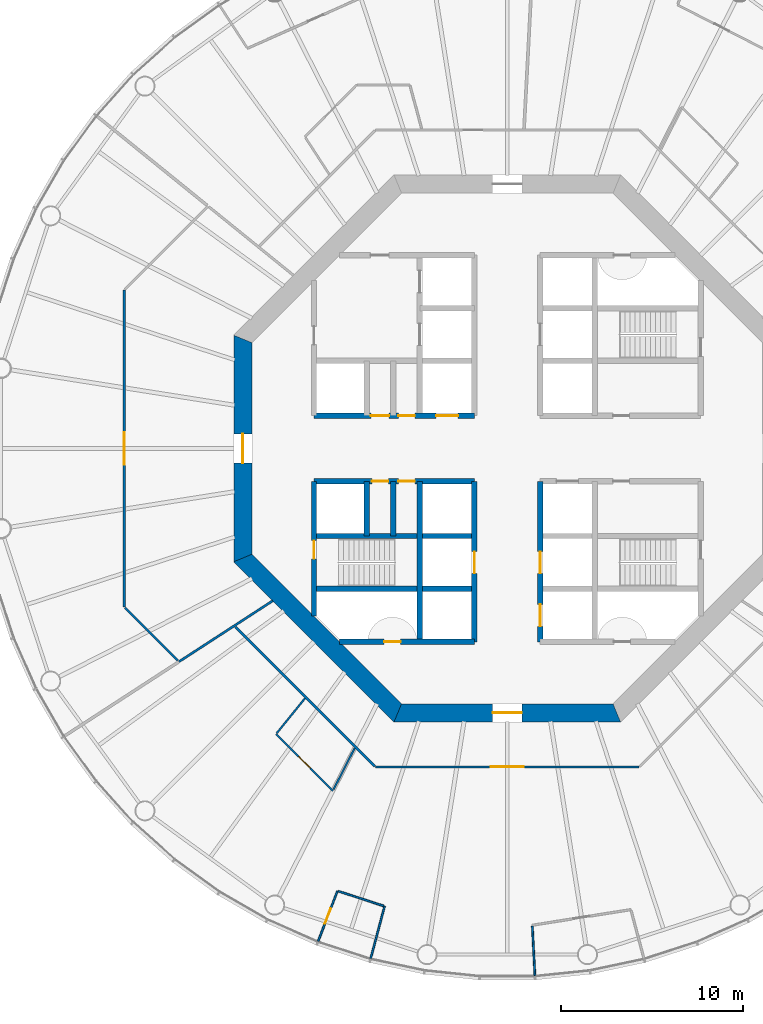
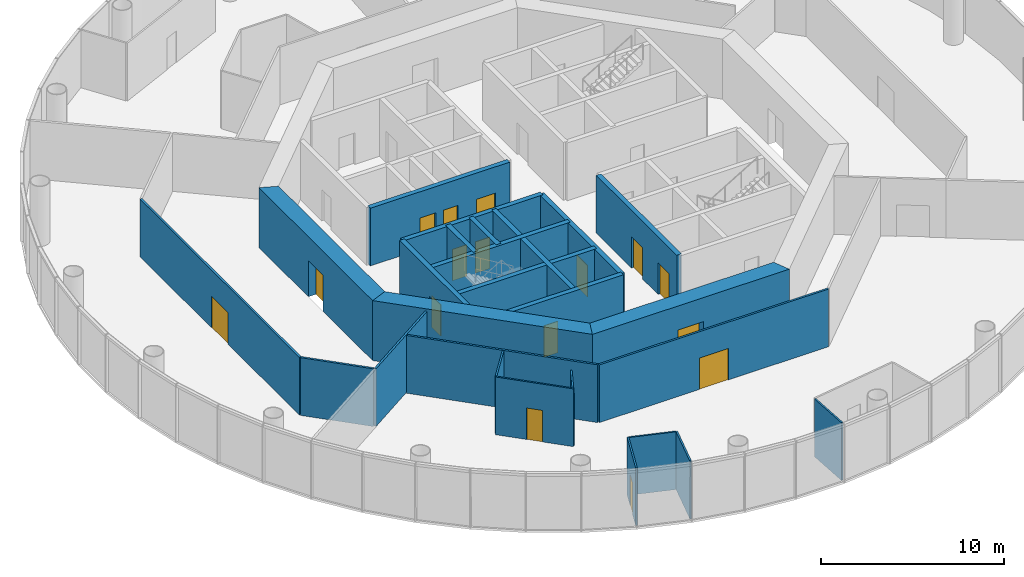
# One storey, part 3 of 13: 26 walls, 16 doors, 16 openings.
"""IFC4 building model written with IfcOpenShell, lengths in metres."""

from ifc_helpers import new_model, si_unit, direction, frame, frame_2d, origin, place, context, subcontext, project, spatial, polyline, rectangle, outline, extrude, material, layer, layer_set, type_object, element, fill, save


model = new_model("IFC4")

# Units and contexts
model_context = context("Model", 3, precision=1e-05, world=origin(), true_north=direction((0.0, 1.0)))
body_context = subcontext(model_context, "Body", "Model", "MODEL_VIEW")
ifc_project = project(units=[si_unit("LENGTHUNIT", "METRE"), si_unit("AREAUNIT", "SQUARE_METRE"), si_unit("VOLUMEUNIT", "CUBIC_METRE"), si_unit("PLANEANGLEUNIT", "RADIAN"), si_unit("MASSUNIT", "GRAM", prefix="KILO")], contexts=[model_context])

# Site, building, storey
site_placement = place(None, origin())
site = spatial("IfcSite", under=ifc_project, at=site_placement, CompositionType="ELEMENT")
building_placement = place(site_placement, origin())
building = spatial("IfcBuilding", under=site, at=building_placement, Name="Entoto Ring Tower", CompositionType="ELEMENT")
storey_placement = place(building_placement, frame((0.0, 0.0, 156.0)))
storey = spatial("IfcBuildingStorey", under=building, at=storey_placement, Name="L35", CompositionType="ELEMENT", Elevation=156.0)

# Wall, openings, doors
ifc_material_1 = material(Name="Concrete C40/50", Category="concrete")
ifc_layer_1 = layer(ifc_material_1, 0.300048828125)
ifc_layer_set_1 = layer_set([ifc_layer_1], Name="Concrete C40/50")
wall_type_1 = type_object("IfcWallType", Name="Core enclosure wall 300 mm reinforced concrete", PredefinedType="SOLIDWALL", material=ifc_layer_set_1)
wall_1_placement = place(storey_placement, frame((91.800048828125, 69.39990234375, 0.0), z_axis=(0.0, 0.0, 1.0), x_axis=(0.0, 1.0, 0.0)))
wall_1 = element("IfcWall", 1, at=wall_1_placement, inside=storey, type_object=wall_type_1, Name="wall-L35-005", PredefinedType="SOLIDWALL", context=body_context, shape_type="SweptSolid", body=[
    extrude(rectangle(XDim=8.800048828125, YDim=0.300048828125, at=frame_2d((4.39990234375, 0.0))), origin(), (0.0, 0.0, 1.0), 3.85009765625),
])
opening_1_placement = place(wall_1_placement, frame((3.75, 0.0, 0.0)))
opening_1 = element("IfcOpeningElement", 2, at=opening_1_placement, cuts=wall_1, Name="Opening LD", PredefinedType="OPENING", context=body_context, shape_type="SweptSolid", body=[
    extrude(rectangle(XDim=1.199951171875, YDim=2.10009765625, at=frame_2d((0.60009765625, 1.050048828125))), frame((0.0, 0.16015625, 0.0), z_axis=(0.0, -1.0, 0.0), x_axis=(1.0, 0.0, 0.0)), (0.0, 0.0, 1.0), 0.320068359375),
])
opening_2_placement = place(wall_1_placement, frame((0.85009765625, 0.0, 0.0)))
opening_2 = element("IfcOpeningElement", 3, at=opening_2_placement, cuts=wall_1, Name="Opening LD", PredefinedType="OPENING", context=body_context, shape_type="SweptSolid", body=[
    extrude(rectangle(XDim=1.199951171875, YDim=2.10009765625, at=frame_2d((0.60009765625, 1.050048828125))), frame((0.0, 0.16015625, 0.0), z_axis=(0.0, -1.0, 0.0), x_axis=(1.0, 0.0, 0.0)), (0.0, 0.0, 1.0), 0.320068359375),
])
ifc_material_2 = material(Name="Steel and glass door leaf", Category="steel")
ifc_layer_2 = layer(ifc_material_2, 0.050048828125)
ifc_layer_set_2 = layer_set([ifc_layer_2], Name="Steel and glass door leaf")
door_type_1 = type_object("IfcDoorType", Name="Landing door 1200 x 2100 sliding", OperationType="DOUBLE_DOOR_SLIDING", PredefinedType="DOOR", material=ifc_layer_set_2)
door_1_placement = place(opening_1_placement, origin())
door_1 = element("IfcDoor", 4, at=door_1_placement, inside=storey, type_object=door_type_1, Name="Landing door LB2-MR", OperationType="SLIDING_TO_RIGHT", OverallHeight=2.10009765625, OverallWidth=1.199951171875, PredefinedType="DOOR", context=body_context, shape_type="SweptSolid", body=[
    extrude(rectangle(XDim=1.199951171875, YDim=2.10009765625, at=frame_2d((0.60009765625, 1.050048828125))), frame((0.0, 0.02490234375, 0.0), z_axis=(0.0, -1.0, 0.0), x_axis=(1.0, 0.0, 0.0)), (0.0, 0.0, 1.0), 0.050048828125),
])
fill(opening_1, door_1)
door_2_placement = place(opening_2_placement, origin())
door_2 = element("IfcDoor", 5, at=door_2_placement, inside=storey, type_object=door_type_1, Name="Landing door LB3-MR", OperationType="SLIDING_TO_RIGHT", OverallHeight=2.10009765625, OverallWidth=1.199951171875, PredefinedType="DOOR", context=body_context, shape_type="SweptSolid", body=[
    extrude(rectangle(XDim=1.199951171875, YDim=2.10009765625, at=frame_2d((0.60009765625, 1.050048828125))), frame((0.0, 0.02490234375, 0.0), z_axis=(0.0, -1.0, 0.0), x_axis=(1.0, 0.0, 0.0)), (0.0, 0.0, 1.0), 0.050048828125),
])
fill(opening_2, door_2)

# Wall, opening, door
wall_2_placement = place(storey_placement, frame((88.199951171875, 69.39990234375, 0.0), z_axis=(0.0, 0.0, 1.0), x_axis=(0.0, 1.0, 0.0)))
wall_2 = element("IfcWall", 6, at=wall_2_placement, inside=storey, type_object=wall_type_1, Name="wall-L35-007", PredefinedType="SOLIDWALL", context=body_context, shape_type="SweptSolid", body=[
    extrude(rectangle(XDim=8.800048828125, YDim=0.300048828125, at=frame_2d((4.39990234375, 0.0))), origin(), (0.0, 0.0, 1.0), 3.85009765625),
])
opening_3_placement = place(wall_2_placement, frame((3.75, 0.0, 0.0)))
opening_3 = element("IfcOpeningElement", 7, at=opening_3_placement, cuts=wall_2, Name="Opening LD", PredefinedType="OPENING", context=body_context, shape_type="SweptSolid", body=[
    extrude(rectangle(XDim=1.199951171875, YDim=2.10009765625, at=frame_2d((0.60009765625, 1.050048828125))), frame((0.0, 0.16015625, 0.0), z_axis=(0.0, -1.0, 0.0), x_axis=(1.0, 0.0, 0.0)), (0.0, 0.0, 1.0), 0.320068359375),
])
door_3_placement = place(opening_3_placement, origin())
door_3 = element("IfcDoor", 8, at=door_3_placement, inside=storey, type_object=door_type_1, Name="Landing door LB4-MR", OperationType="SLIDING_TO_RIGHT", OverallHeight=2.10009765625, OverallWidth=1.199951171875, PredefinedType="DOOR", context=body_context, shape_type="SweptSolid", body=[
    extrude(rectangle(XDim=1.199951171875, YDim=2.10009765625, at=frame_2d((0.60009765625, 1.050048828125))), frame((0.0, 0.02490234375, 0.0), z_axis=(0.0, -1.0, 0.0), x_axis=(1.0, 0.0, 0.0)), (0.0, 0.0, 1.0), 0.050048828125),
])
fill(opening_3, door_3)

# Walls
wall_3_placement = place(storey_placement, frame((85.199951171875, 69.39990234375, 0.0), z_axis=(0.0, 0.0, 1.0), x_axis=(0.0, 1.0, 0.0)))
element("IfcWall", 9, at=wall_3_placement, inside=storey, type_object=wall_type_1, Name="wall-L35-009", PredefinedType="SOLIDWALL", context=body_context, shape_type="SweptSolid", body=[
    extrude(rectangle(XDim=8.800048828125, YDim=0.300048828125, at=frame_2d((4.39990234375, 0.0))), origin(), (0.0, 0.0, 1.0), 3.85009765625),
])
for number, where, z_axis, x_axis, name in (
    (10, (83.75, 75.199951171875, 0.0), (0.0, 0.0, 1.0), (0.0, 1.0, 0.0), "wall-L35-011"),
    (11, (82.300048828125, 75.199951171875, 0.0), (0.0, 0.0, 1.0), (0.0, 1.0, 0.0), "wall-L35-013"),
):
    element("IfcWall", number, at=place(storey_placement, frame(where, z_axis=z_axis, x_axis=x_axis)), inside=storey, type_object=wall_type_1, Name=name, PredefinedType="SOLIDWALL", context=body_context, shape_type="SweptSolid", body=[
        extrude(rectangle(XDim=3.0, YDim=0.300048828125, at=frame_2d((1.5, 0.0))), origin(), (0.0, 0.0, 1.0), 3.85009765625),
    ])

# Wall, opening, door
wall_4_placement = place(storey_placement, frame((79.39990234375, 70.801025390625, 0.0), z_axis=(0.0, 0.0, 1.0), x_axis=(0.0, 1.0, 0.0)))
wall_4 = element("IfcWall", 12, at=wall_4_placement, inside=storey, type_object=wall_type_1, Name="wall-L35-015", PredefinedType="SOLIDWALL", context=body_context, shape_type="SweptSolid", body=[
    extrude(rectangle(XDim=7.39892578125, YDim=0.300048828125, at=frame_2d((3.699462890625, 0.0))), origin(), (0.0, 0.0, 1.0), 3.85009765625),
])
opening_4_placement = place(wall_4_placement, frame((3.14892578125, 0.0, 0.0)))
opening_4 = element("IfcOpeningElement", 13, at=opening_4_placement, cuts=wall_4, Name="Opening K-59", PredefinedType="OPENING", context=body_context, shape_type="SweptSolid", body=[
    extrude(rectangle(XDim=1.0, YDim=2.10009765625, at=frame_2d((0.5, 1.050048828125))), frame((0.0, 0.16015625, 0.0), z_axis=(0.0, -1.0, 0.0), x_axis=(1.0, 0.0, 0.0)), (0.0, 0.0, 1.0), 0.320068359375),
])
ifc_material_3 = material(Name="Steel door leaf, fire rated", Category="steel")
ifc_layer_3 = layer(ifc_material_3, 0.050048828125)
ifc_layer_set_3 = layer_set([ifc_layer_3], Name="Steel door leaf, fire rated")
door_type_2 = type_object("IfcDoorType", Name="Fire door FD60 1000 x 2100 single leaf", OperationType="NOTDEFINED", PredefinedType="DOOR", material=ifc_layer_set_3)
door_4_placement = place(opening_4_placement, frame((1.0, 0.0, 0.0), z_axis=(0.0, 0.0, 1.0), x_axis=(-1.0, 0.0, 0.0)))
door_4 = element("IfcDoor", 14, at=door_4_placement, inside=storey, type_object=door_type_2, Name="Door K-59", OperationType="SINGLE_SWING_LEFT", OverallHeight=2.10009765625, OverallWidth=1.0, PredefinedType="DOOR", context=body_context, shape_type="SweptSolid", body=[
    extrude(rectangle(XDim=1.0, YDim=2.10009765625, at=frame_2d((0.5, 1.050048828125))), frame((0.0, 0.02490234375, 0.0), z_axis=(0.0, -1.0, 0.0), x_axis=(1.0, 0.0, 0.0)), (0.0, 0.0, 1.0), 0.050048828125),
])
fill(opening_4, door_4)

wall_5_placement = place(storey_placement, frame((80.801025390625, 69.39990234375, 0.0), z_axis=(0.0, 0.0, 1.0), x_axis=(1.0, 0.0, 0.0)))
wall_5 = element("IfcWall", 15, at=wall_5_placement, inside=storey, type_object=wall_type_1, Name="wall-L35-017", PredefinedType="SOLIDWALL", context=body_context, shape_type="SweptSolid", body=[
    extrude(rectangle(XDim=7.39892578125, YDim=0.300048828125, at=frame_2d((3.699462890625, 0.0))), origin(), (0.0, 0.0, 1.0), 3.85009765625),
])
opening_5_placement = place(wall_5_placement, frame((2.448974609375, 0.0, 0.0)))
opening_5 = element("IfcOpeningElement", 16, at=opening_5_placement, cuts=wall_5, Name="Opening K-66", PredefinedType="OPENING", context=body_context, shape_type="SweptSolid", body=[
    extrude(rectangle(XDim=0.89990234375, YDim=2.10009765625, at=frame_2d((0.449951171875, 1.050048828125))), frame((0.0, 0.16015625, 0.0), z_axis=(0.0, -1.0, 0.0), x_axis=(1.0, 0.0, 0.0)), (0.0, 0.0, 1.0), 0.320068359375),
])
ifc_material_4 = material(Name="Steel door leaf, fire rated", Category="steel")
ifc_layer_4 = layer(ifc_material_4, 0.050048828125)
ifc_layer_set_4 = layer_set([ifc_layer_4], Name="Steel door leaf, fire rated")
door_type_3 = type_object("IfcDoorType", Name="Riser door FD60 900 x 2100 single leaf", OperationType="NOTDEFINED", PredefinedType="DOOR", material=ifc_layer_set_4)
door_5_placement = place(opening_5_placement, origin())
door_5 = element("IfcDoor", 17, at=door_5_placement, inside=storey, type_object=door_type_3, Name="Door K-66", OperationType="SINGLE_SWING_RIGHT", OverallHeight=2.10009765625, OverallWidth=0.89990234375, PredefinedType="DOOR", context=body_context, shape_type="SweptSolid", body=[
    extrude(rectangle(XDim=0.89990234375, YDim=2.10009765625, at=frame_2d((0.449951171875, 1.050048828125))), frame((0.0, 0.02490234375, 0.0), z_axis=(0.0, -1.0, 0.0), x_axis=(1.0, 0.0, 0.0)), (0.0, 0.0, 1.0), 0.050048828125),
])
fill(opening_5, door_5)

# Walls
for number, where, z_axis, x_axis, name in (
    (18, (79.39990234375, 72.300048828125, 0.0), (0.0, 0.0, 1.0), (1.0, 0.0, 0.0), "wall-L35-019"),
    (19, (79.39990234375, 75.199951171875, 0.0), (0.0, 0.0, 1.0), (1.0, 0.0, 0.0), "wall-L35-021"),
):
    element("IfcWall", number, at=place(storey_placement, frame(where, z_axis=z_axis, x_axis=x_axis)), inside=storey, type_object=wall_type_1, Name=name, PredefinedType="SOLIDWALL", context=body_context, shape_type="SweptSolid", body=[
        extrude(rectangle(XDim=8.800048828125, YDim=0.300048828125, at=frame_2d((4.39990234375, 0.0))), origin(), (0.0, 0.0, 1.0), 3.85009765625),
    ])

# Wall, openings, doors
wall_6_placement = place(storey_placement, frame((79.39990234375, 78.199951171875, 0.0), z_axis=(0.0, 0.0, 1.0), x_axis=(1.0, 0.0, 0.0)))
wall_6 = element("IfcWall", 20, at=wall_6_placement, inside=storey, type_object=wall_type_1, Name="wall-L35-023", PredefinedType="SOLIDWALL", context=body_context, shape_type="SweptSolid", body=[
    extrude(rectangle(XDim=8.800048828125, YDim=0.300048828125, at=frame_2d((4.39990234375, 0.0))), origin(), (0.0, 0.0, 1.0), 3.85009765625),
])
opening_6_placement = place(wall_6_placement, frame((3.175048828125, 0.0, 0.0)))
opening_6 = element("IfcOpeningElement", 21, at=opening_6_placement, cuts=wall_6, Name="Opening K-15", PredefinedType="OPENING", context=body_context, shape_type="SweptSolid", body=[
    extrude(rectangle(XDim=0.89990234375, YDim=2.10009765625, at=frame_2d((0.449951171875, 1.050048828125))), frame((0.0, 0.16015625, 0.0), z_axis=(0.0, -1.0, 0.0), x_axis=(1.0, 0.0, 0.0)), (0.0, 0.0, 1.0), 0.320068359375),
])
opening_7_placement = place(wall_6_placement, frame((4.625, 0.0, 0.0)))
opening_7 = element("IfcOpeningElement", 22, at=opening_7_placement, cuts=wall_6, Name="Opening K-16", PredefinedType="OPENING", context=body_context, shape_type="SweptSolid", body=[
    extrude(rectangle(XDim=0.89990234375, YDim=2.10009765625, at=frame_2d((0.449951171875, 1.050048828125))), frame((0.0, 0.16015625, 0.0), z_axis=(0.0, -1.0, 0.0), x_axis=(1.0, 0.0, 0.0)), (0.0, 0.0, 1.0), 0.320068359375),
])
ifc_material_5 = material(Name="Steel door leaf, fire rated", Category="steel")
ifc_layer_5 = layer(ifc_material_5, 0.050048828125)
ifc_layer_set_5 = layer_set([ifc_layer_5], Name="Steel door leaf, fire rated")
door_type_4 = type_object("IfcDoorType", Name="Core door 900 x 2100 single leaf", OperationType="NOTDEFINED", PredefinedType="DOOR", material=ifc_layer_set_5)
door_6_placement = place(opening_6_placement, frame((0.89990234375, 0.0, 0.0), z_axis=(0.0, 0.0, 1.0), x_axis=(-1.0, 0.0, 0.0)))
door_6 = element("IfcDoor", 23, at=door_6_placement, inside=storey, type_object=door_type_4, Name="Door K-15", OperationType="SINGLE_SWING_LEFT", OverallHeight=2.10009765625, OverallWidth=0.89990234375, PredefinedType="DOOR", context=body_context, shape_type="SweptSolid", body=[
    extrude(rectangle(XDim=0.89990234375, YDim=2.10009765625, at=frame_2d((0.449951171875, 1.050048828125))), frame((0.0, 0.02490234375, 0.0), z_axis=(0.0, -1.0, 0.0), x_axis=(1.0, 0.0, 0.0)), (0.0, 0.0, 1.0), 0.050048828125),
])
fill(opening_6, door_6)
door_7_placement = place(opening_7_placement, frame((0.89990234375, 0.0, 0.0), z_axis=(0.0, 0.0, 1.0), x_axis=(-1.0, 0.0, 0.0)))
door_7 = element("IfcDoor", 24, at=door_7_placement, inside=storey, type_object=door_type_4, Name="Door K-16", OperationType="SINGLE_SWING_LEFT", OverallHeight=2.10009765625, OverallWidth=0.89990234375, PredefinedType="DOOR", context=body_context, shape_type="SweptSolid", body=[
    extrude(rectangle(XDim=0.89990234375, YDim=2.10009765625, at=frame_2d((0.449951171875, 1.050048828125))), frame((0.0, 0.02490234375, 0.0), z_axis=(0.0, -1.0, 0.0), x_axis=(1.0, 0.0, 0.0)), (0.0, 0.0, 1.0), 0.050048828125),
])
fill(opening_7, door_7)

wall_7_placement = place(storey_placement, frame((79.39990234375, 81.800048828125, 0.0), z_axis=(0.0, 0.0, 1.0), x_axis=(1.0, 0.0, 0.0)))
wall_7 = element("IfcWall", 25, at=wall_7_placement, inside=storey, type_object=wall_type_1, Name="wall-L35-025", PredefinedType="SOLIDWALL", context=body_context, shape_type="SweptSolid", body=[
    extrude(rectangle(XDim=8.800048828125, YDim=0.300048828125, at=frame_2d((4.39990234375, 0.0))), origin(), (0.0, 0.0, 1.0), 3.85009765625),
])
opening_8_placement = place(wall_7_placement, frame((6.699951171875, 0.0, 0.0)))
opening_8 = element("IfcOpeningElement", 26, at=opening_8_placement, cuts=wall_7, Name="Opening LD", PredefinedType="OPENING", context=body_context, shape_type="SweptSolid", body=[
    extrude(rectangle(XDim=1.199951171875, YDim=2.10009765625, at=frame_2d((0.60009765625, 1.050048828125))), frame((0.0, 0.16015625, 0.0), z_axis=(0.0, -1.0, 0.0), x_axis=(1.0, 0.0, 0.0)), (0.0, 0.0, 1.0), 0.320068359375),
])
opening_9_placement = place(wall_7_placement, frame((3.125, 0.0, 0.0)))
opening_9 = element("IfcOpeningElement", 27, at=opening_9_placement, cuts=wall_7, Name="Opening K-13", PredefinedType="OPENING", context=body_context, shape_type="SweptSolid", body=[
    extrude(rectangle(XDim=1.0, YDim=2.10009765625, at=frame_2d((0.5, 1.050048828125))), frame((0.0, 0.16015625, 0.0), z_axis=(0.0, -1.0, 0.0), x_axis=(1.0, 0.0, 0.0)), (0.0, 0.0, 1.0), 0.320068359375),
])
opening_10_placement = place(wall_7_placement, frame((4.625, 0.0, 0.0)))
opening_10 = element("IfcOpeningElement", 28, at=opening_10_placement, cuts=wall_7, Name="Opening K-14", PredefinedType="OPENING", context=body_context, shape_type="SweptSolid", body=[
    extrude(rectangle(XDim=0.89990234375, YDim=2.10009765625, at=frame_2d((0.449951171875, 1.050048828125))), frame((0.0, 0.16015625, 0.0), z_axis=(0.0, -1.0, 0.0), x_axis=(1.0, 0.0, 0.0)), (0.0, 0.0, 1.0), 0.320068359375),
])
ifc_material_6 = material(Name="Steel door leaf, fire rated", Category="steel")
ifc_layer_6 = layer(ifc_material_6, 0.050048828125)
ifc_layer_set_6 = layer_set([ifc_layer_6], Name="Steel door leaf, fire rated")
door_type_5 = type_object("IfcDoorType", Name="Accessible door 1000 x 2100 single leaf", OperationType="NOTDEFINED", PredefinedType="DOOR", material=ifc_layer_set_6)
door_8_placement = place(opening_9_placement, origin())
door_8 = element("IfcDoor", 29, at=door_8_placement, inside=storey, type_object=door_type_5, Name="Door K-13", OperationType="SINGLE_SWING_RIGHT", OverallHeight=2.10009765625, OverallWidth=1.0, PredefinedType="DOOR", context=body_context, shape_type="SweptSolid", body=[
    extrude(rectangle(XDim=1.0, YDim=2.10009765625, at=frame_2d((0.5, 1.050048828125))), frame((0.0, 0.02490234375, 0.0), z_axis=(0.0, -1.0, 0.0), x_axis=(1.0, 0.0, 0.0)), (0.0, 0.0, 1.0), 0.050048828125),
])
fill(opening_9, door_8)
door_9_placement = place(opening_10_placement, origin())
door_9 = element("IfcDoor", 30, at=door_9_placement, inside=storey, type_object=door_type_4, Name="Door K-14", OperationType="SINGLE_SWING_RIGHT", OverallHeight=2.10009765625, OverallWidth=0.89990234375, PredefinedType="DOOR", context=body_context, shape_type="SweptSolid", body=[
    extrude(rectangle(XDim=0.89990234375, YDim=2.10009765625, at=frame_2d((0.449951171875, 1.050048828125))), frame((0.0, 0.02490234375, 0.0), z_axis=(0.0, -1.0, 0.0), x_axis=(1.0, 0.0, 0.0)), (0.0, 0.0, 1.0), 0.050048828125),
])
fill(opening_10, door_9)
door_10_placement = place(opening_8_placement, origin())
door_10 = element("IfcDoor", 31, at=door_10_placement, inside=storey, type_object=door_type_1, Name="Landing door LB5-MR", OperationType="SLIDING_TO_LEFT", OverallHeight=2.10009765625, OverallWidth=1.199951171875, PredefinedType="DOOR", context=body_context, shape_type="SweptSolid", body=[
    extrude(rectangle(XDim=1.199951171875, YDim=2.10009765625, at=frame_2d((0.60009765625, 1.050048828125))), frame((0.0, 0.02490234375, 0.0), z_axis=(0.0, -1.0, 0.0), x_axis=(1.0, 0.0, 0.0)), (0.0, 0.0, 1.0), 0.050048828125),
])
fill(opening_8, door_10)

# Wall, opening, door
ifc_material_7 = material(Name="Concrete C50/60", Category="concrete")
ifc_layer_7 = layer(ifc_material_7, 1.0)
ifc_layer_set_7 = layer_set([ifc_layer_7], Name="Concrete C50/60")
wall_type_2 = type_object("IfcWallType", Name="Core shear wall 1000 mm reinforced concrete C50/60", PredefinedType="SHEAR", material=ifc_layer_set_7)
wall_8_placement = place(storey_placement, frame((75.5, 86.006103515625, 0.0), z_axis=(0.0, 0.0, 1.0), x_axis=(0.0, -1.0, 0.0)))
wall_8 = element("IfcWall", 32, at=wall_8_placement, inside=storey, type_object=wall_type_2, Name="wall-L35-core-4", PredefinedType="SHEAR", context=body_context, shape_type="SweptSolid", body=[
    extrude(outline(polyline([(-0.20703125, -0.5), (12.21923828125, -0.5), (11.80517578125, 0.5), (0.20703125, 0.5), (-0.20703125, -0.5)])), origin(), (0.0, 0.0, 1.0), 4.0),
])
opening_11_placement = place(wall_8_placement, frame((5.2060546875, 0.0, 0.0)))
opening_11 = element("IfcOpeningElement", 33, at=opening_11_placement, cuts=wall_8, Name="Opening K-03", PredefinedType="OPENING", context=body_context, shape_type="SweptSolid", body=[
    extrude(rectangle(XDim=1.60009765625, YDim=2.39990234375, at=frame_2d((0.800048828125, 1.199951171875))), frame((0.0, 0.510009765625, 0.0), z_axis=(0.0, -1.0, 0.0), x_axis=(1.0, 0.0, 0.0)), (0.0, 0.0, 1.0), 1.02001953125),
])
ifc_material_8 = material(Name="Steel door leaf, fire rated", Category="steel")
ifc_layer_8 = layer(ifc_material_8, 0.050048828125)
ifc_layer_set_8 = layer_set([ifc_layer_8], Name="Steel door leaf, fire rated")
door_type_6 = type_object("IfcDoorType", Name="Entrance door FD60 1600 x 2400 double leaf", OperationType="DOUBLE_DOOR_SINGLE_SWING", PredefinedType="DOOR", material=ifc_layer_set_8)
door_11_placement = place(opening_11_placement, origin())
door_11 = element("IfcDoor", 34, at=door_11_placement, inside=storey, type_object=door_type_6, Name="Entrance door K-03", OperationType="DOUBLE_DOOR_SINGLE_SWING", OverallHeight=2.39990234375, OverallWidth=1.60009765625, PredefinedType="DOOR", context=body_context, shape_type="SweptSolid", body=[
    extrude(rectangle(XDim=1.60009765625, YDim=2.39990234375, at=frame_2d((0.800048828125, 1.199951171875))), frame((0.0, 0.02490234375, 0.0), z_axis=(0.0, -1.0, 0.0), x_axis=(1.0, 0.0, 0.0)), (0.0, 0.0, 1.0), 0.050048828125),
])
fill(opening_11, door_11)

# Wall
wall_9_placement = place(storey_placement, frame((75.5, 73.993896484375, 0.0), z_axis=(0.0, 0.0, 1.0), x_axis=(0.707106781187, -0.707106781187, 0.0)))
element("IfcWall", 35, at=wall_9_placement, inside=storey, type_object=wall_type_2, Name="wall-L35-core-5", PredefinedType="SHEAR", context=body_context, shape_type="SweptSolid", body=[
    extrude(outline(polyline([(-0.20703125, -0.5), (12.21923828125, -0.5), (11.80517578125, 0.5), (0.20703125, 0.5), (-0.20703125, -0.5)])), origin(), (0.0, 0.0, 1.0), 4.0),
])

# Wall, opening, door
wall_10_placement = place(storey_placement, frame((83.993896484375, 65.5, 0.0), z_axis=(0.0, 0.0, 1.0), x_axis=(1.0, 0.0, 0.0)))
wall_10 = element("IfcWall", 36, at=wall_10_placement, inside=storey, type_object=wall_type_2, Name="wall-L35-core-6", PredefinedType="SHEAR", context=body_context, shape_type="SweptSolid", body=[
    extrude(outline(polyline([(-0.20703125, -0.5), (12.21923828125, -0.5), (11.80517578125, 0.5), (0.20703125, 0.5), (-0.20703125, -0.5)])), origin(), (0.0, 0.0, 1.0), 4.0),
])
opening_12_placement = place(wall_10_placement, frame((5.2060546875, 0.0, 0.0)))
opening_12 = element("IfcOpeningElement", 37, at=opening_12_placement, cuts=wall_10, Name="Opening K-04", PredefinedType="OPENING", context=body_context, shape_type="SweptSolid", body=[
    extrude(rectangle(XDim=1.60009765625, YDim=2.39990234375, at=frame_2d((0.800048828125, 1.199951171875))), frame((0.0, 0.510009765625, 0.0), z_axis=(0.0, -1.0, 0.0), x_axis=(1.0, 0.0, 0.0)), (0.0, 0.0, 1.0), 1.02001953125),
])
door_12_placement = place(opening_12_placement, origin())
door_12 = element("IfcDoor", 38, at=door_12_placement, inside=storey, type_object=door_type_6, Name="Entrance door K-04", OperationType="DOUBLE_DOOR_SINGLE_SWING", OverallHeight=2.39990234375, OverallWidth=1.60009765625, PredefinedType="DOOR", context=body_context, shape_type="SweptSolid", body=[
    extrude(rectangle(XDim=1.60009765625, YDim=2.39990234375, at=frame_2d((0.800048828125, 1.199951171875))), frame((0.0, 0.02490234375, 0.0), z_axis=(0.0, -1.0, 0.0), x_axis=(1.0, 0.0, 0.0)), (0.0, 0.0, 1.0), 0.050048828125),
])
fill(opening_12, door_12)

ifc_material_9 = material(Name="Fire-resisting plasterboard on steel studs", Category="steel")
ifc_layer_9 = layer(ifc_material_9, 0.125)
ifc_layer_set_9 = layer_set([ifc_layer_9], Name="Fire-resisting plasterboard on steel studs")
wall_type_3 = type_object("IfcWallType", Name="Corridor wall 125 mm one-hour plasterboard on steel studs", PredefinedType="PARTITIONING", material=ifc_layer_set_9)
wall_11_placement = place(storey_placement, frame((69.0, 71.301513671875, 0.0), z_axis=(0.0, 0.0, 1.0), x_axis=(0.0, 1.0, 0.0)))
wall_11 = element("IfcWall", 39, at=wall_11_placement, inside=storey, type_object=wall_type_3, Name="partition-L35-001", PredefinedType="PARTITIONING", context=body_context, shape_type="SweptSolid", body=[
    extrude(rectangle(XDim=17.39697265625, YDim=0.125, at=frame_2d((8.698486328125, 0.0))), origin(), (0.0, 0.0, 1.0), 3.85009765625),
])
opening_13_placement = place(wall_11_placement, frame((7.798583984375, 0.0, 0.0)))
opening_13 = element("IfcOpeningElement", 40, at=opening_13_placement, cuts=wall_11, Name="Opening A16-D02", PredefinedType="OPENING", context=body_context, shape_type="SweptSolid", body=[
    extrude(rectangle(XDim=1.800048828125, YDim=2.10009765625, at=frame_2d((0.89990234375, 1.050048828125))), frame((0.0, 0.072509765625, 0.0), z_axis=(0.0, -1.0, 0.0), x_axis=(1.0, 0.0, 0.0)), (0.0, 0.0, 1.0), 0.14501953125),
])
ifc_material_10 = material(Name="Fire-resisting timber door set", Category="wood")
door_type_7 = type_object("IfcDoorType", Name="Door 1800 x 2100 double leaf FD30S fire door", OperationType="DOUBLE_DOOR_SINGLE_SWING", PredefinedType="DOOR", material=ifc_material_10)
door_13_placement = place(opening_13_placement, origin())
door_13 = element("IfcDoor", 41, at=door_13_placement, inside=storey, type_object=door_type_7, Name="Door A16-D02", OperationType="DOUBLE_DOOR_SINGLE_SWING", OverallHeight=2.10009765625, OverallWidth=1.800048828125, PredefinedType="DOOR", context=body_context, shape_type="SweptSolid", body=[
    extrude(rectangle(XDim=1.800048828125, YDim=2.10009765625, at=frame_2d((0.89990234375, 1.050048828125))), frame((0.0, 0.02490234375, 0.0), z_axis=(0.0, -1.0, 0.0), x_axis=(1.0, 0.0, 0.0)), (0.0, 0.0, 1.0), 0.050048828125),
])
fill(opening_13, door_13)

wall_12_placement = place(storey_placement, frame((82.766845703125, 62.53759765625, 0.0), z_axis=(0.0, 0.0, 1.0), x_axis=(1.0, 0.0, 0.0)))
wall_12 = element("IfcWall", 42, at=wall_12_placement, inside=storey, type_object=wall_type_3, Name="partition-L35-003", PredefinedType="PARTITIONING", context=body_context, shape_type="SweptSolid", body=[
    extrude(rectangle(XDim=14.46630859375, YDim=0.125, at=frame_2d((7.233154296875, 0.0))), origin(), (0.0, 0.0, 1.0), 3.85009765625),
])
opening_14_placement = place(wall_12_placement, frame((6.333251953125, 0.0, 0.0)))
opening_14 = element("IfcOpeningElement", 43, at=opening_14_placement, cuts=wall_12, Name="Opening A16-D09", PredefinedType="OPENING", context=body_context, shape_type="SweptSolid", body=[
    extrude(rectangle(XDim=1.800048828125, YDim=2.10009765625, at=frame_2d((0.89990234375, 1.050048828125))), frame((0.0, 0.072509765625, 0.0), z_axis=(0.0, -1.0, 0.0), x_axis=(1.0, 0.0, 0.0)), (0.0, 0.0, 1.0), 0.14501953125),
])
door_14_placement = place(opening_14_placement, origin())
door_14 = element("IfcDoor", 44, at=door_14_placement, inside=storey, type_object=door_type_7, Name="Door A16-D09", OperationType="DOUBLE_DOOR_SINGLE_SWING", OverallHeight=2.10009765625, OverallWidth=1.800048828125, PredefinedType="DOOR", context=body_context, shape_type="SweptSolid", body=[
    extrude(rectangle(XDim=1.800048828125, YDim=2.10009765625, at=frame_2d((0.89990234375, 1.050048828125))), frame((0.0, 0.02490234375, 0.0), z_axis=(0.0, -1.0, 0.0), x_axis=(1.0, 0.0, 0.0)), (0.0, 0.0, 1.0), 0.050048828125),
])
fill(opening_14, door_14)

# Walls
wall_13_placement = place(storey_placement, frame((82.735595703125, 62.568603515625, 0.0), z_axis=(0.0, 0.0, 1.0), x_axis=(-0.707095503297, 0.707118058897, 0.0)))
element("IfcWall", 45, at=wall_13_placement, inside=storey, type_object=wall_type_3, Name="partition-L35-006", PredefinedType="PARTITIONING", context=body_context, shape_type="SweptSolid", body=[
    extrude(rectangle(XDim=10.823974609375, YDim=0.125, at=frame_2d((5.412109375, 0.0))), origin(), (0.0, 0.0, 1.0), 3.85009765625),
])
wall_14_placement = place(storey_placement, frame((71.994384765625, 68.306884765625, 0.0), z_axis=(0.0, 0.0, 1.0), x_axis=(0.838658147636, 0.544658160137, 0.0)))
element("IfcWall", 46, at=wall_14_placement, inside=storey, type_object=wall_type_3, Name="partition-L35-011", PredefinedType="PARTITIONING", context=body_context, shape_type="SweptSolid", body=[
    extrude(rectangle(XDim=6.13427734375, YDim=0.125, at=frame_2d((3.067138671875, 0.0))), origin(), (0.0, 0.0, 1.0), 3.85009765625),
])
wall_15_placement = place(storey_placement, frame((71.930908203125, 68.37060546875, 0.0), z_axis=(0.0, 0.0, 1.0), x_axis=(-0.707106781187, 0.707106781187, 0.0)))
element("IfcWall", 47, at=wall_15_placement, inside=storey, type_object=wall_type_3, Name="partition-L35-014", PredefinedType="PARTITIONING", context=body_context, shape_type="SweptSolid", body=[
    extrude(rectangle(XDim=4.10107421875, YDim=0.125, at=frame_2d((2.050537109375, 0.0))), origin(), (0.0, 0.0, 1.0), 3.85009765625),
])

# Wall, opening, door
ifc_material_11 = material(Name="Plasterboard on steel studs", Category="steel")
ifc_layer_10 = layer(ifc_material_11, 0.10009765625)
ifc_layer_set_10 = layer_set([ifc_layer_10], Name="Plasterboard on steel studs")
wall_type_4 = type_object("IfcWallType", Name="Partition 100 mm plasterboard on steel studs", PredefinedType="PARTITIONING", material=ifc_layer_set_10)
wall_16_placement = place(storey_placement, frame((80.4375, 61.232421875, 0.0), z_axis=(0.0, 0.0, 1.0), x_axis=(-0.707106781187, 0.707106781187, 0.0)))
wall_16 = element("IfcWall", 48, at=wall_16_placement, inside=storey, type_object=wall_type_4, Name="partition-L35-025", PredefinedType="PARTITIONING", context=body_context, shape_type="SweptSolid", body=[
    extrude(rectangle(XDim=4.403564453125, YDim=0.10009765625, at=frame_2d((2.20166015625, 0.0))), origin(), (0.0, 0.0, 1.0), 3.85009765625),
])
opening_15_placement = place(wall_16_placement, frame((1.751708984375, 0.0, 0.0)))
opening_15 = element("IfcOpeningElement", 49, at=opening_15_placement, cuts=wall_16, Name="Opening A16-D11", PredefinedType="OPENING", context=body_context, shape_type="SweptSolid", body=[
    extrude(rectangle(XDim=0.89990234375, YDim=2.10009765625, at=frame_2d((0.449951171875, 1.050048828125))), frame((0.0, 0.06005859375, 0.0), z_axis=(0.0, -1.0, 0.0), x_axis=(1.0, 0.0, 0.0)), (0.0, 0.0, 1.0), 0.1201171875),
])
ifc_material_12 = material(Name="Veneered timber door leaf in timber frame", Category="wood")
door_type_8 = type_object("IfcDoorType", Name="Door 900 x 2100 single leaf timber veneer", OperationType="NOTDEFINED", PredefinedType="DOOR", material=ifc_material_12)
door_15_placement = place(opening_15_placement, frame((0.89990234375, 0.0, 0.0), z_axis=(0.0, 0.0, 1.0), x_axis=(-1.0, 0.0, 0.0)))
door_15 = element("IfcDoor", 50, at=door_15_placement, inside=storey, type_object=door_type_8, Name="Door A16-D11", OperationType="SINGLE_SWING_RIGHT", OverallHeight=2.10009765625, OverallWidth=0.89990234375, PredefinedType="DOOR", context=body_context, shape_type="SweptSolid", body=[
    extrude(rectangle(XDim=0.89990234375, YDim=2.10009765625, at=frame_2d((0.449951171875, 1.050048828125))), frame((0.0, 0.02490234375, 0.0), z_axis=(0.0, -1.0, 0.0), x_axis=(1.0, 0.0, 0.0)), (0.0, 0.0, 1.0), 0.050048828125),
])
fill(opening_15, door_15)

wall_17_placement = place(storey_placement, frame((79.62890625, 52.982177734375, 0.0), z_axis=(0.0, 0.0, 1.0), x_axis=(0.358368936698, 0.933580047564, 0.0)))
wall_17 = element("IfcWall", 51, at=wall_17_placement, inside=storey, type_object=wall_type_4, Name="partition-L35-028", PredefinedType="PARTITIONING", context=body_context, shape_type="SweptSolid", body=[
    extrude(rectangle(XDim=2.949951171875, YDim=0.10009765625, at=frame_2d((1.47509765625, 0.0))), origin(), (0.0, 0.0, 1.0), 3.85009765625),
])
opening_16_placement = place(wall_17_placement, frame((1.02490234375, 0.0, 0.0)))
opening_16 = element("IfcOpeningElement", 52, at=opening_16_placement, cuts=wall_17, Name="Opening A16-D12", PredefinedType="OPENING", context=body_context, shape_type="SweptSolid", body=[
    extrude(rectangle(XDim=0.89990234375, YDim=2.10009765625, at=frame_2d((0.449951171875, 1.050048828125))), frame((0.0, 0.06005859375, 0.0), z_axis=(0.0, -1.0, 0.0), x_axis=(1.0, 0.0, 0.0)), (0.0, 0.0, 1.0), 0.1201171875),
])
door_16_placement = place(opening_16_placement, frame((0.89990234375, 0.0, 0.0), z_axis=(0.0, 0.0, 1.0), x_axis=(-1.0, 0.0, 0.0)))
door_16 = element("IfcDoor", 53, at=door_16_placement, inside=storey, type_object=door_type_8, Name="Door A16-D12", OperationType="SINGLE_SWING_RIGHT", OverallHeight=2.10009765625, OverallWidth=0.89990234375, PredefinedType="DOOR", context=body_context, shape_type="SweptSolid", body=[
    extrude(rectangle(XDim=0.89990234375, YDim=2.10009765625, at=frame_2d((0.449951171875, 1.050048828125))), frame((0.0, 0.02490234375, 0.0), z_axis=(0.0, -1.0, 0.0), x_axis=(1.0, 0.0, 0.0)), (0.0, 0.0, 1.0), 0.050048828125),
])
fill(opening_16, door_16)

# Walls
wall_18_placement = place(storey_placement, frame((82.509765625, 52.046142578125, 0.0), z_axis=(0.0, 0.0, 1.0), x_axis=(0.258800896618, 0.965930688978, 0.0)))
element("IfcWall", 54, at=wall_18_placement, inside=storey, type_object=wall_type_4, Name="partition-L35-029", PredefinedType="PARTITIONING", context=body_context, shape_type="SweptSolid", body=[
    extrude(rectangle(XDim=2.949951171875, YDim=0.10009765625, at=frame_2d((1.47509765625, 0.0))), origin(), (0.0, 0.0, 1.0), 3.85009765625),
])
wall_19_placement = place(storey_placement, frame((91.5146484375, 51.099609375, 0.0), z_axis=(0.0, 0.0, 1.0), x_axis=(-0.052331909705, 0.998629746816, 0.0)))
element("IfcWall", 55, at=wall_19_placement, inside=storey, type_object=wall_type_4, Name="partition-L35-035", PredefinedType="PARTITIONING", context=body_context, shape_type="SweptSolid", body=[
    extrude(rectangle(XDim=2.71044921875, YDim=0.10009765625, at=frame_2d((1.355224609375, 0.0))), origin(), (0.0, 0.0, 1.0), 3.85009765625),
])
wall_20_placement = place(storey_placement, frame((83.225830078125, 54.910888671875, 0.0), z_axis=(0.0, 0.0, 1.0), x_axis=(-0.951059395916, 0.309008131673, 0.0)))
element("IfcWall", 56, at=wall_20_placement, inside=storey, type_object=wall_type_4, Name="partition-L35-037", PredefinedType="PARTITIONING", context=body_context, shape_type="SweptSolid", body=[
    extrude(rectangle(XDim=2.62060546875, YDim=0.10009765625, at=frame_2d((1.310302734375, 0.0))), origin(), (0.0, 0.0, 1.0), 3.85009765625),
])
wall_21_placement = place(storey_placement, frame((77.35498046875, 64.384765625, 0.0), z_axis=(0.0, 0.0, 1.0), x_axis=(0.629283655167, 0.777175708151, 0.0)))
element("IfcWall", 57, at=wall_21_placement, inside=storey, type_object=wall_type_4, Name="partition-L35-040", PredefinedType="PARTITIONING", context=body_context, shape_type="SweptSolid", body=[
    extrude(rectangle(XDim=2.46630859375, YDim=0.10009765625, at=frame_2d((1.233154296875, 0.0))), origin(), (0.0, 0.0, 1.0), 3.85009765625),
])
ifc_material_13 = material(Name="Plasterboard on steel studs", Category="steel")
ifc_layer_11 = layer(ifc_material_13, 0.10009765625)
ifc_layer_set_11 = layer_set([ifc_layer_11], Name="Plasterboard on steel studs")
wall_type_5 = type_object("IfcWallType", Name="Partition 100 mm plasterboard on steel studs, 3250 mm high", PredefinedType="PARTITIONING", material=ifc_layer_set_11)
wall_22_placement = place(storey_placement, frame((80.468505859375, 61.29345703125, 0.0), z_axis=(0.0, 0.0, 1.0), x_axis=(0.454050461823, 0.890975969439, 0.0)))
element("IfcWall", 58, at=wall_22_placement, inside=storey, type_object=wall_type_5, Name="partition-L35-038", PredefinedType="PARTITIONING", context=body_context, shape_type="SweptSolid", body=[
    extrude(rectangle(XDim=2.552001953125, YDim=0.10009765625, at=frame_2d((1.27587890625, 0.0))), origin(), (0.0, 0.0, 1.0), 3.25),
])

save(model, "model.ifc")
